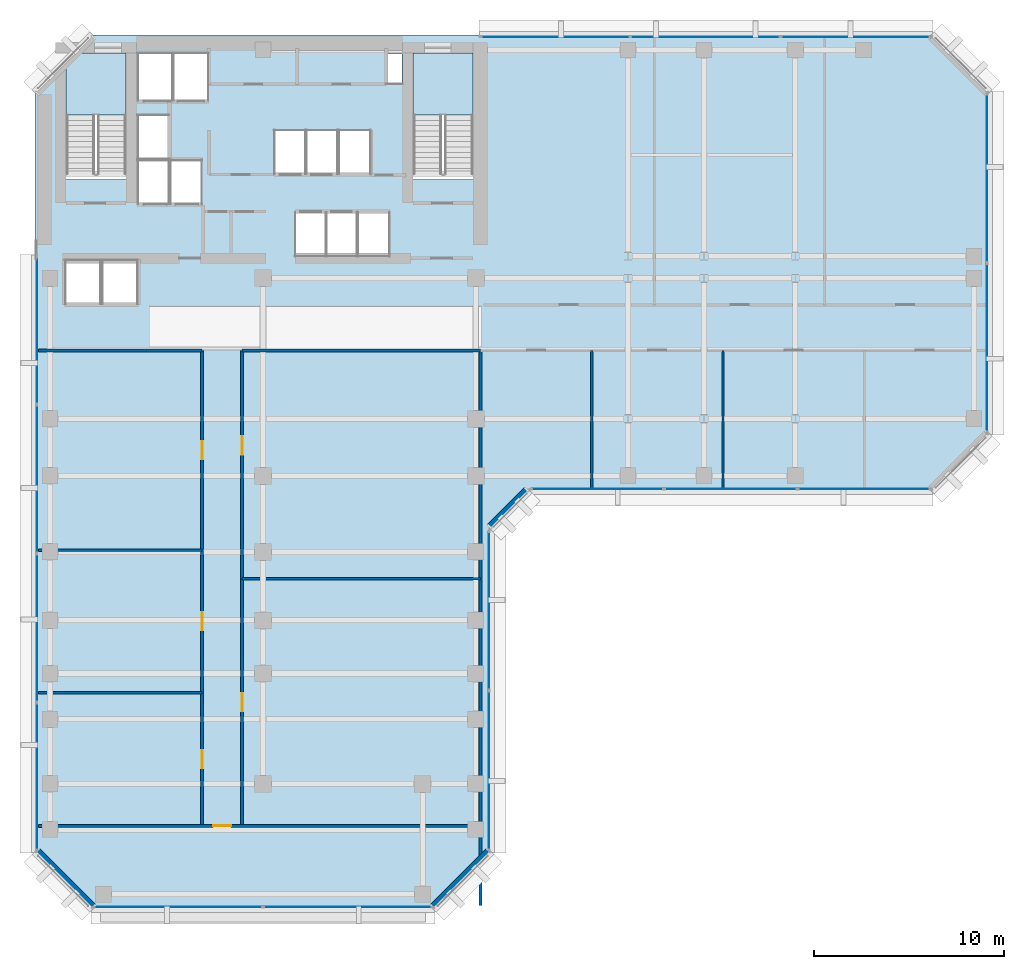
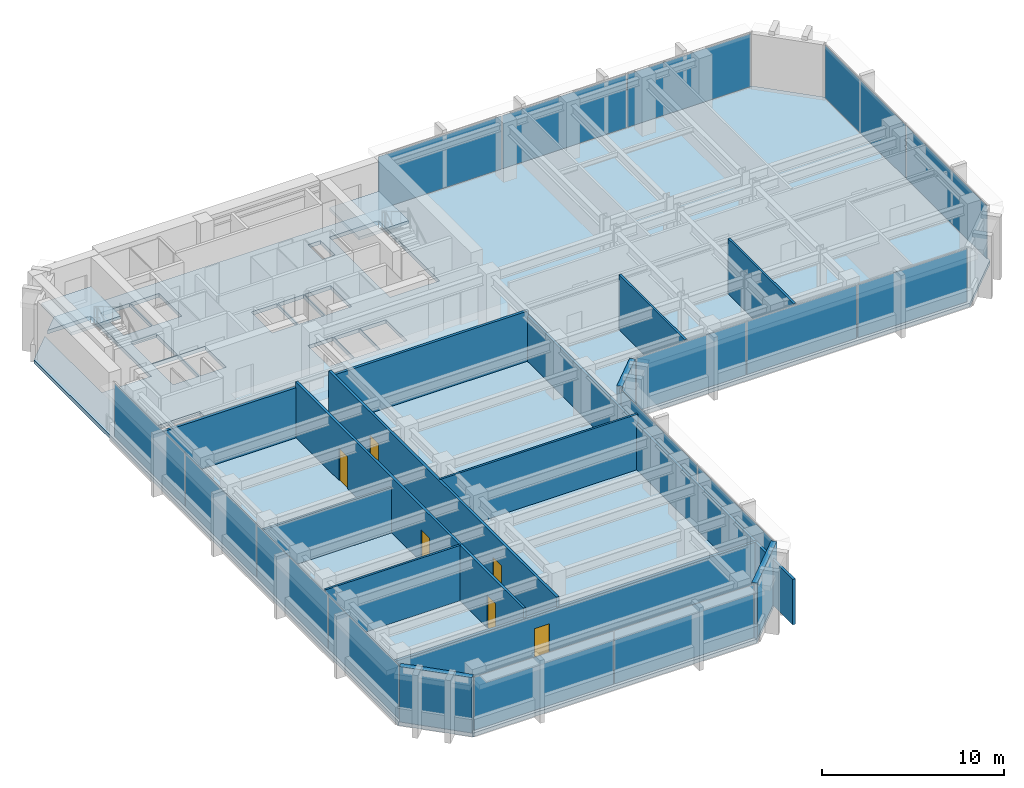
# One storey, part 6 of 11: 16 plates, 14 walls, 6 doors, 3 slabs, 6 openings, 8 elements without a shape of their own.
"""IFC4 building model written with IfcOpenShell, lengths in metres."""

from ifc_helpers import new_model, si_unit, direction, frame, frame_2d, origin, origin_2d, place, context, subcontext, project, spatial, polyline, rectangle, outline, extrude, material, layer, layer_set, type_object, element, fill, aggregate, save


model = new_model("IFC4")

# Units and contexts
model_context = context("Model", 3, precision=1e-05, world=origin(), true_north=direction((0.0, 1.0)))
body_context = subcontext(model_context, "Body", "Model", "MODEL_VIEW")
ifc_project = project(units=[si_unit("LENGTHUNIT", "METRE"), si_unit("AREAUNIT", "SQUARE_METRE"), si_unit("VOLUMEUNIT", "CUBIC_METRE"), si_unit("PLANEANGLEUNIT", "RADIAN"), si_unit("MASSUNIT", "GRAM", prefix="KILO")], contexts=[model_context])

# Site, building, storey
site_placement = place(None, origin())
site = spatial("IfcSite", under=ifc_project, at=site_placement, CompositionType="ELEMENT")
building_placement = place(site_placement, origin())
building = spatial("IfcBuilding", under=site, at=building_placement, Name="Kefirva Bronze Tower", CompositionType="ELEMENT")
storey_placement = place(building_placement, frame((0.0, 0.0, 154.77001953125)))
storey = spatial("IfcBuildingStorey", under=building, at=storey_placement, Name="L37", CompositionType="ELEMENT", Elevation=154.77001953125)

# Stair, slab
ifc_material_1 = material(Name="Concrete C40/50", Category="concrete")
stair_type = type_object("IfcStairType", Name="RC Dogleg Protected Stair 24R", PredefinedType="HALF_TURN_STAIR", material=ifc_material_1)
stair_1_placement = place(storey_placement, origin())
stair_1 = element("IfcStair", 1, at=stair_1_placement, inside=storey, type_object=stair_type, Name="L37 Protected Exit Stair 1", PredefinedType="HALF_TURN_STAIR")
ifc_layer_1 = layer(ifc_material_1, 0.199951171875, Name="Concrete C40/50")
ifc_layer_set_1 = layer_set([ifc_layer_1], Name="Concrete C40/50")
slab_type_1 = type_object("IfcSlabType", Name="RC Stair Landing Slab 200mm", PredefinedType="LANDING", material=ifc_layer_set_1)
slab_1_placement = place(storey_placement, frame((0.0, 0.0, 1.780029296875)))
slab_1 = element("IfcSlab", 2, at=slab_1_placement, type_object=slab_type_1, Name="ST-1 landing 1", PredefinedType="LANDING", context=body_context, shape_type="SweptSolid", body=[
    extrude(outline(polyline([(4.800048828125, 41.780029296875), (4.800048828125, 45.050048828125), (1.64990234375, 45.050048828125), (1.64990234375, 41.780029296875), (4.800048828125, 41.780029296875)])), origin(), (0.0, 0.0, 1.0), 0.199951171875),
])
aggregate(stair_1, [slab_1])

stair_2_placement = place(storey_placement, origin())
stair_2 = element("IfcStair", 3, at=stair_2_placement, inside=storey, type_object=stair_type, Name="L37 Protected Exit Stair 2", PredefinedType="HALF_TURN_STAIR")
slab_2_placement = place(storey_placement, frame((0.0, 0.0, 1.780029296875)))
slab_2 = element("IfcSlab", 4, at=slab_2_placement, type_object=slab_type_1, Name="ST-2 landing 1", PredefinedType="LANDING", context=body_context, shape_type="SweptSolid", body=[
    extrude(outline(polyline([(23.050048828125, 41.780029296875), (23.050048828125, 45.050048828125), (19.89990234375, 45.050048828125), (19.89990234375, 41.780029296875), (23.050048828125, 41.780029296875)])), origin(), (0.0, 0.0, 1.0), 0.199951171875),
])
aggregate(stair_2, [slab_2])

# Slab
ifc_layer_2 = layer(ifc_material_1, 0.25, Name="Concrete C40/50")
ifc_layer_set_2 = layer_set([ifc_layer_2], Name="Concrete C40/50")
slab_type_2 = type_object("IfcSlabType", Name="RC Tower Floor Slab 250mm", PredefinedType="FLOOR", material=ifc_layer_set_2)
slab_3_placement = place(storey_placement, frame((0.0, 0.0, -0.25)))
element("IfcSlab", 5, at=slab_3_placement, inside=storey, type_object=slab_type_2, Name="L37 Structural Floor Slab", PredefinedType="FLOOR", context=body_context, shape_type="SweptSolid", body=[
    extrude(outline(polyline([(0.0, 3.0), (0.0, 43.0), (1.64990234375, 44.64990234375), (1.64990234375, 38.39990234375), (4.800048828125, 38.39990234375), (4.800048828125, 45.050048828125), (2.050048828125, 45.050048828125), (3.0, 46.0), (47.199951171875, 46.0), (50.199951171875, 43.0), (50.199951171875, 25.0), (47.199951171875, 22.0), (26.0, 22.0), (24.0, 20.0), (24.0, 3.0), (21.0, 0.0), (3.0, 0.0), (0.0, 3.0)]), holes=[polyline([(23.050048828125, 38.39990234375), (23.050048828125, 45.050048828125), (19.89990234375, 45.050048828125), (19.89990234375, 38.39990234375), (23.050048828125, 38.39990234375)]), polyline([(19.320068359375, 43.419921875), (19.320068359375, 45.0), (18.52001953125, 45.0), (18.52001953125, 43.419921875), (19.320068359375, 43.419921875)]), polyline([(18.64990234375, 34.35009765625), (18.64990234375, 36.64990234375), (17.0, 36.64990234375), (17.0, 34.35009765625), (18.64990234375, 34.35009765625)]), polyline([(17.64990234375, 38.679931640625), (17.64990234375, 40.97998046875), (16.0, 40.97998046875), (16.0, 38.679931640625), (17.64990234375, 38.679931640625)]), polyline([(16.949951171875, 34.35009765625), (16.949951171875, 36.64990234375), (15.35009765625, 36.64990234375), (15.35009765625, 34.35009765625), (16.949951171875, 34.35009765625)]), polyline([(15.929931640625, 38.679931640625), (15.929931640625, 40.97998046875), (14.300048828125, 40.97998046875), (14.300048828125, 38.679931640625), (15.929931640625, 38.679931640625)]), polyline([(15.300048828125, 34.35009765625), (15.300048828125, 36.64990234375), (13.699951171875, 36.64990234375), (13.699951171875, 34.35009765625), (15.300048828125, 34.35009765625)]), polyline([(14.22998046875, 38.679931640625), (14.22998046875, 40.97998046875), (12.60009765625, 40.97998046875), (12.60009765625, 38.679931640625), (14.22998046875, 38.679931640625)]), polyline([(9.1201171875, 42.550048828125), (9.1201171875, 45.050048828125), (7.300048828125, 45.050048828125), (7.300048828125, 42.550048828125), (9.1201171875, 42.550048828125)]), polyline([(8.780029296875, 37.10009765625), (8.780029296875, 39.39990234375), (7.139892578125, 39.39990234375), (7.139892578125, 37.10009765625), (8.780029296875, 37.10009765625)]), polyline([(7.239990234375, 42.550048828125), (7.239990234375, 45.050048828125), (5.419921875, 45.050048828125), (5.419921875, 42.550048828125), (7.239990234375, 42.550048828125)]), polyline([(7.06005859375, 37.10009765625), (7.06005859375, 39.39990234375), (5.419921875, 39.39990234375), (5.419921875, 37.10009765625), (7.06005859375, 37.10009765625)]), polyline([(7.06005859375, 39.47998046875), (7.06005859375, 41.780029296875), (5.419921875, 41.780029296875), (5.419921875, 39.47998046875), (7.06005859375, 39.47998046875)]), polyline([(5.39990234375, 31.85009765625), (5.39990234375, 34.14990234375), (3.550048828125, 34.14990234375), (3.550048828125, 31.85009765625), (5.39990234375, 31.85009765625)]), polyline([(3.449951171875, 31.85009765625), (3.449951171875, 34.14990234375), (1.60009765625, 34.14990234375), (1.60009765625, 31.85009765625), (3.449951171875, 31.85009765625)])]), origin(), (0.0, 0.0, 1.0), 0.25),
])

# Curtain wall, plates
ifc_material_2 = material(Name="Bronze anodised aluminium", Category="aluminium")
ifc_layer_3 = layer(ifc_material_2, 0.199951171875, Name="Bronze anodised aluminium")
ifc_layer_set_3 = layer_set([ifc_layer_3], Name="Bronze anodised aluminium")
curtain_wall_type = type_object("IfcCurtainWallType", Name="Unitised Bronze Ribbon Curtain Wall Zone 2", PredefinedType="USERDEFINED", material=ifc_layer_set_3)
curtain_wall_1_placement = place(storey_placement, origin())
curtain_wall_1 = element("IfcCurtainWall", 6, at=curtain_wall_1_placement, inside=storey, type_object=curtain_wall_type, Name="L37 Curtain Wall 1", ObjectType="UNITISED CURTAIN WALL", PredefinedType="USERDEFINED")
ifc_material_3 = material(Name="Laminated low-E double glazing", Category="glass")
ifc_layer_4 = layer(ifc_material_3, 0.031982421875, Name="Laminated low-E double glazing")
ifc_layer_set_4 = layer_set([ifc_layer_4], Name="Laminated low-E double glazing")
plate_type = type_object("IfcPlateType", Name="Solar-Control Low-E Vision Panel 32mm", PredefinedType="CURTAIN_PANEL", material=ifc_layer_set_4)
plate_1_placement = place(storey_placement, frame((7.546142578125, 0.1201171875, 0.074951171875), z_axis=(0.0, 0.0, 1.0), x_axis=(1.0, 0.0, 0.0)))
plate_1 = element("IfcPlate", 7, at=plate_1_placement, type_object=plate_type, Name="CW-02 panel 1.1", PredefinedType="CURTAIN_PANEL", context=body_context, shape_type="SweptSolid", body=[
    extrude(rectangle(XDim=8.83251953125, YDim=0.031982421875, at=origin_2d()), origin(), (0.0, 0.0, 1.0), 3.56005859375),
])
plate_2_placement = place(storey_placement, frame((16.453857421875, 0.1201171875, 0.074951171875), z_axis=(0.0, 0.0, 1.0), x_axis=(1.0, 0.0, 0.0)))
plate_2 = element("IfcPlate", 8, at=plate_2_placement, type_object=plate_type, Name="CW-02 panel 2.1", PredefinedType="CURTAIN_PANEL", context=body_context, shape_type="SweptSolid", body=[
    extrude(rectangle(XDim=8.83251953125, YDim=0.031982421875, at=origin_2d()), origin(), (0.0, 0.0, 1.0), 3.56005859375),
])
aggregate(curtain_wall_1, [plate_1, plate_2])

curtain_wall_2_placement = place(storey_placement, origin())
curtain_wall_2 = element("IfcCurtainWall", 9, at=curtain_wall_2_placement, inside=storey, type_object=curtain_wall_type, Name="L37 Curtain Wall 2", ObjectType="UNITISED CURTAIN WALL", PredefinedType="USERDEFINED")
plate_3_placement = place(storey_placement, frame((23.8798828125, 7.296142578125, 0.074951171875), z_axis=(0.0, 0.0, 1.0), x_axis=(0.0, 1.0, 0.0)))
plate_3 = element("IfcPlate", 10, at=plate_3_placement, type_object=plate_type, Name="CW-02 panel 1.1", PredefinedType="CURTAIN_PANEL", context=body_context, shape_type="SweptSolid", body=[
    extrude(rectangle(XDim=8.33251953125, YDim=0.031982421875, at=origin_2d()), origin(), (0.0, 0.0, 1.0), 3.56005859375),
])
plate_4_placement = place(storey_placement, frame((23.8798828125, 15.703857421875, 0.074951171875), z_axis=(0.0, 0.0, 1.0), x_axis=(0.0, 1.0, 0.0)))
plate_4 = element("IfcPlate", 11, at=plate_4_placement, type_object=plate_type, Name="CW-02 panel 2.1", PredefinedType="CURTAIN_PANEL", context=body_context, shape_type="SweptSolid", body=[
    extrude(rectangle(XDim=8.33251953125, YDim=0.031982421875, at=origin_2d()), origin(), (0.0, 0.0, 1.0), 3.56005859375),
])
aggregate(curtain_wall_2, [plate_3, plate_4])

curtain_wall_3_placement = place(storey_placement, origin())
curtain_wall_3 = element("IfcCurtainWall", 12, at=curtain_wall_3_placement, inside=storey, type_object=curtain_wall_type, Name="L37 Curtain Wall 3", ObjectType="UNITISED CURTAIN WALL", PredefinedType="USERDEFINED")
plate_5_placement = place(storey_placement, frame((29.5888671875, 22.1201171875, 0.074951171875), z_axis=(0.0, 0.0, 1.0), x_axis=(1.0, 0.0, 0.0)))
plate_5 = element("IfcPlate", 13, at=plate_5_placement, type_object=plate_type, Name="CW-02 panel 1.1", PredefinedType="CURTAIN_PANEL", context=body_context, shape_type="SweptSolid", body=[
    extrude(rectangle(XDim=6.91748046875, YDim=0.031982421875, at=origin_2d()), origin(), (0.0, 0.0, 1.0), 3.56005859375),
])
plate_6_placement = place(storey_placement, frame((36.60009765625, 22.1201171875, 0.074951171875), z_axis=(0.0, 0.0, 1.0), x_axis=(1.0, 0.0, 0.0)))
plate_6 = element("IfcPlate", 14, at=plate_6_placement, type_object=plate_type, Name="CW-02 panel 2.1", PredefinedType="CURTAIN_PANEL", context=body_context, shape_type="SweptSolid", body=[
    extrude(rectangle(XDim=6.955078125, YDim=0.031982421875, at=origin_2d()), origin(), (0.0, 0.0, 1.0), 3.56005859375),
])
plate_7_placement = place(storey_placement, frame((43.611328125, 22.1201171875, 0.074951171875), z_axis=(0.0, 0.0, 1.0), x_axis=(1.0, 0.0, 0.0)))
plate_7 = element("IfcPlate", 15, at=plate_7_placement, type_object=plate_type, Name="CW-02 panel 3.1", PredefinedType="CURTAIN_PANEL", context=body_context, shape_type="SweptSolid", body=[
    extrude(rectangle(XDim=6.91748046875, YDim=0.031982421875, at=origin_2d()), origin(), (0.0, 0.0, 1.0), 3.56005859375),
])
aggregate(curtain_wall_3, [plate_5, plate_6, plate_7])

curtain_wall_4_placement = place(storey_placement, origin())
curtain_wall_4 = element("IfcCurtainWall", 16, at=curtain_wall_4_placement, inside=storey, type_object=curtain_wall_type, Name="L37 Curtain Wall 4", ObjectType="UNITISED CURTAIN WALL", PredefinedType="USERDEFINED")
plate_8_placement = place(storey_placement, frame((50.080078125, 29.546142578125, 0.074951171875), z_axis=(0.0, 0.0, 1.0), x_axis=(0.0, 1.0, 0.0)))
plate_8 = element("IfcPlate", 17, at=plate_8_placement, type_object=plate_type, Name="CW-02 panel 1.1", PredefinedType="CURTAIN_PANEL", context=body_context, shape_type="SweptSolid", body=[
    extrude(rectangle(XDim=8.83251953125, YDim=0.031982421875, at=origin_2d()), origin(), (0.0, 0.0, 1.0), 3.56005859375),
])
plate_9_placement = place(storey_placement, frame((50.080078125, 38.453857421875, 0.074951171875), z_axis=(0.0, 0.0, 1.0), x_axis=(0.0, 1.0, 0.0)))
plate_9 = element("IfcPlate", 18, at=plate_9_placement, type_object=plate_type, Name="CW-02 panel 2.1", PredefinedType="CURTAIN_PANEL", context=body_context, shape_type="SweptSolid", body=[
    extrude(rectangle(XDim=8.83251953125, YDim=0.031982421875, at=origin_2d()), origin(), (0.0, 0.0, 1.0), 3.56005859375),
])
aggregate(curtain_wall_4, [plate_8, plate_9])

curtain_wall_5_placement = place(storey_placement, origin())
curtain_wall_5 = element("IfcCurtainWall", 19, at=curtain_wall_5_placement, inside=storey, type_object=curtain_wall_type, Name="L37 Curtain Wall 5", ObjectType="UNITISED CURTAIN WALL", PredefinedType="USERDEFINED")
plate_10_placement = place(storey_placement, frame((43.169677734375, 45.8798828125, 0.074951171875), z_axis=(0.0, 0.0, 1.0), x_axis=(-1.0, 0.0, 0.0)))
plate_10 = element("IfcPlate", 20, at=plate_10_placement, type_object=plate_type, Name="CW-02 panel 1.1", PredefinedType="CURTAIN_PANEL", context=body_context, shape_type="SweptSolid", body=[
    extrude(rectangle(XDim=7.80078125, YDim=0.031982421875, at=origin_2d()), origin(), (0.0, 0.0, 1.0), 3.56005859375),
])
plate_11_placement = place(storey_placement, frame((35.27490234375, 45.8798828125, 0.074951171875), z_axis=(0.0, 0.0, 1.0), x_axis=(-1.0, 0.0, 0.0)))
plate_11 = element("IfcPlate", 21, at=plate_11_placement, type_object=plate_type, Name="CW-02 panel 2.1", PredefinedType="CURTAIN_PANEL", context=body_context, shape_type="SweptSolid", body=[
    extrude(rectangle(XDim=7.83837890625, YDim=0.031982421875, at=origin_2d()), origin(), (0.0, 0.0, 1.0), 3.56005859375),
])
plate_12_placement = place(storey_placement, frame((27.38037109375, 45.8798828125, 0.074951171875), z_axis=(0.0, 0.0, 1.0), x_axis=(-1.0, 0.0, 0.0)))
plate_12 = element("IfcPlate", 22, at=plate_12_placement, type_object=plate_type, Name="CW-02 panel 3.1", PredefinedType="CURTAIN_PANEL", context=body_context, shape_type="SweptSolid", body=[
    extrude(rectangle(XDim=7.80078125, YDim=0.031982421875, at=origin_2d()), origin(), (0.0, 0.0, 1.0), 3.56005859375),
])
aggregate(curtain_wall_5, [plate_10, plate_11, plate_12])

curtain_wall_6_placement = place(storey_placement, origin())
curtain_wall_6 = element("IfcCurtainWall", 23, at=curtain_wall_6_placement, inside=storey, type_object=curtain_wall_type, Name="L37 Curtain Wall 6", ObjectType="UNITISED CURTAIN WALL", PredefinedType="USERDEFINED")
plate_13_placement = place(storey_placement, frame((0.1201171875, 30.458740234375, 0.074951171875), z_axis=(0.0, 0.0, 1.0), x_axis=(0.0, -1.0, 0.0)))
plate_13 = element("IfcPlate", 24, at=plate_13_placement, type_object=plate_type, Name="CW-02 panel 1.1", PredefinedType="CURTAIN_PANEL", context=body_context, shape_type="SweptSolid", body=[
    extrude(rectangle(XDim=7.722412109375, YDim=0.031982421875, at=origin_2d()), origin(), (0.0, 0.0, 1.0), 3.56005859375),
])
plate_14_placement = place(storey_placement, frame((0.1201171875, 22.642578125, 0.074951171875), z_axis=(0.0, 0.0, 1.0), x_axis=(0.0, -1.0, 0.0)))
plate_14 = element("IfcPlate", 25, at=plate_14_placement, type_object=plate_type, Name="CW-02 panel 2.1", PredefinedType="CURTAIN_PANEL", context=body_context, shape_type="SweptSolid", body=[
    extrude(rectangle(XDim=7.760009765625, YDim=0.031982421875, at=origin_2d()), origin(), (0.0, 0.0, 1.0), 3.56005859375),
])
plate_15_placement = place(storey_placement, frame((0.1201171875, 14.8076171875, 0.074951171875), z_axis=(0.0, 0.0, 1.0), x_axis=(0.0, -1.0, 0.0)))
plate_15 = element("IfcPlate", 26, at=plate_15_placement, type_object=plate_type, Name="CW-02 panel 3.1", PredefinedType="CURTAIN_PANEL", context=body_context, shape_type="SweptSolid", body=[
    extrude(rectangle(XDim=7.760009765625, YDim=0.031982421875, at=origin_2d()), origin(), (0.0, 0.0, 1.0), 3.56005859375),
])
plate_16_placement = place(storey_placement, frame((0.1201171875, 6.9912109375, 0.074951171875), z_axis=(0.0, 0.0, 1.0), x_axis=(0.0, -1.0, 0.0)))
plate_16 = element("IfcPlate", 27, at=plate_16_placement, type_object=plate_type, Name="CW-02 panel 4.1", PredefinedType="CURTAIN_PANEL", context=body_context, shape_type="SweptSolid", body=[
    extrude(rectangle(XDim=7.722412109375, YDim=0.031982421875, at=origin_2d()), origin(), (0.0, 0.0, 1.0), 3.56005859375),
])
aggregate(curtain_wall_6, [plate_13, plate_14, plate_15, plate_16])

# Walls
ifc_material_4 = material(Name="Gypsum acoustic partition")
ifc_layer_5 = layer(ifc_material_4, 0.1298828125, Name="Gypsum acoustic partition")
ifc_layer_set_5 = layer_set([ifc_layer_5], Name="Gypsum acoustic partition")
wall_type_1 = type_object("IfcWallType", Name="Acoustic Office Partition 130mm", PredefinedType="PARTITIONING", material=ifc_layer_set_5)
wall_1_placement = place(storey_placement, frame((0.18994140625, 11.392822265625, 0.0), z_axis=(0.0, 0.0, 1.0), x_axis=(1.0, 0.0, 0.0)))
element("IfcWall", 28, at=wall_1_placement, inside=storey, type_object=wall_type_1, Name="L37 Partition W-L37-SWD1", PredefinedType="PARTITIONING", context=body_context, shape_type="SweptSolid", body=[
    extrude(rectangle(XDim=8.610107421875, YDim=0.1298828125, at=frame_2d((4.30517578125, 0.0))), origin(), (0.0, 0.0, 1.0), 3.7099609375),
])
wall_2_placement = place(storey_placement, frame((0.18994140625, 18.895751953125, 0.0), z_axis=(0.0, 0.0, 1.0), x_axis=(1.0, 0.0, 0.0)))
element("IfcWall", 29, at=wall_2_placement, inside=storey, type_object=wall_type_1, Name="L37 Partition W-L37-SWD2", PredefinedType="PARTITIONING", context=body_context, shape_type="SweptSolid", body=[
    extrude(rectangle(XDim=8.610107421875, YDim=0.1298828125, at=frame_2d((4.30517578125, 0.0))), origin(), (0.0, 0.0, 1.0), 3.044921875),
])
wall_3_placement = place(storey_placement, frame((10.89990234375, 17.395263671875, 0.0), z_axis=(0.0, 0.0, 1.0), x_axis=(1.0, 0.0, 0.0)))
element("IfcWall", 30, at=wall_3_placement, inside=storey, type_object=wall_type_1, Name="L37 Partition W-L37-SED1", PredefinedType="PARTITIONING", context=body_context, shape_type="SweptSolid", body=[
    extrude(rectangle(XDim=12.550048828125, YDim=0.1298828125, at=frame_2d((6.27490234375, 0.0))), origin(), (0.0, 0.0, 1.0), 3.7099609375),
])
for number, where, z_axis, x_axis, name in (
    (31, (29.293212890625, 22.18994140625, 0.0), (0.0, 0.0, 1.0), (0.0, 1.0, 0.0), "L37 Partition W-L37-ESD1"),
    (32, (36.19873046875, 22.18994140625, 0.0), (0.0, 0.0, 1.0), (0.0, 1.0, 0.0), "L37 Partition W-L37-ESD2"),
):
    element("IfcWall", number, at=place(storey_placement, frame(where, z_axis=z_axis, x_axis=x_axis)), inside=storey, type_object=wall_type_1, Name=name, PredefinedType="PARTITIONING", context=body_context, shape_type="SweptSolid", body=[
        extrude(rectangle(XDim=7.2099609375, YDim=0.1298828125, at=frame_2d((3.60498046875, 0.0))), origin(), (0.0, 0.0, 1.0), 3.7099609375),
    ])
ifc_material_5 = material(Name="Precast concrete C40/50", Category="concrete")
ifc_layer_6 = layer(ifc_material_5, 0.320068359375, Name="Precast concrete C40/50")
ifc_layer_set_6 = layer_set([ifc_layer_6], Name="Precast concrete C40/50")
wall_type_2 = type_object("IfcWallType", Name="Precast Insulated Exterior Wall 320mm", PredefinedType="SOLIDWALL", material=ifc_layer_set_6)
wall_4_placement = place(storey_placement, frame((20.92578125, 0.152099609375, 0.0), z_axis=(0.0, 0.0, 1.0), x_axis=(0.707106781187, 0.707106781187, 0.0)))
element("IfcWall", 33, at=wall_4_placement, inside=storey, type_object=wall_type_2, Name="L37 Exterior Facade Wall 1", PredefinedType="SOLIDWALL", context=body_context, shape_type="SweptSolid", body=[
    extrude(rectangle(XDim=4.132568359375, YDim=0.320068359375, at=frame_2d((2.06640625, 0.0))), origin(), (0.0, 0.0, 1.0), 3.7099609375),
])
wall_5_placement = place(storey_placement, frame((23.92578125, 20.152099609375, 0.0), z_axis=(0.0, 0.0, 1.0), x_axis=(0.707106781187, 0.707106781187, 0.0)))
element("IfcWall", 34, at=wall_5_placement, inside=storey, type_object=wall_type_2, Name="L37 Exterior Facade Wall 2", PredefinedType="SOLIDWALL", context=body_context, shape_type="SweptSolid", body=[
    extrude(rectangle(XDim=2.71826171875, YDim=0.320068359375, at=frame_2d((1.359130859375, 0.0))), origin(), (0.0, 0.0, 1.0), 3.7099609375),
])
wall_6_placement = place(storey_placement, frame((0.152099609375, 3.07421875, 0.0), z_axis=(0.0, 0.0, 1.0), x_axis=(0.707106781187, -0.707106781187, 0.0)))
element("IfcWall", 35, at=wall_6_placement, inside=storey, type_object=wall_type_2, Name="L37 Exterior Facade Wall 6", PredefinedType="SOLIDWALL", context=body_context, shape_type="SweptSolid", body=[
    extrude(rectangle(XDim=4.132568359375, YDim=0.320068359375, at=frame_2d((2.06640625, 0.0))), origin(), (0.0, 0.0, 1.0), 3.7099609375),
])

# Wall, openings, doors
ifc_layer_7 = layer(ifc_material_4, 0.159912109375, Name="Gypsum acoustic partition")
ifc_layer_set_7 = layer_set([ifc_layer_7], Name="Gypsum acoustic partition")
wall_type_3 = type_object("IfcWallType", Name="Protected Corridor Partition 160mm", PredefinedType="PARTITIONING", material=ifc_layer_set_7)
wall_7_placement = place(storey_placement, frame((8.800048828125, 4.389892578125, 0.0), z_axis=(0.0, 0.0, 1.0), x_axis=(0.0, 1.0, 0.0)))
wall_7 = element("IfcWall", 36, at=wall_7_placement, inside=storey, type_object=wall_type_3, Name="L37 Partition W-L37-SWCORW", PredefinedType="PARTITIONING", context=body_context, shape_type="SweptSolid", body=[
    extrude(rectangle(XDim=25.010009765625, YDim=0.159912109375, at=frame_2d((12.5048828125, 0.0))), origin(), (0.0, 0.0, 1.0), 3.7099609375),
])
opening_1_placement = place(wall_7_placement, frame((3.976318359375, 0.0, 0.0), z_axis=(0.0, 0.0, 1.0), x_axis=(-1.0, 0.0, 0.0)))
opening_1 = element("IfcOpeningElement", 37, at=opening_1_placement, cuts=wall_7, Name="Opening L37-D-SW1", PredefinedType="OPENING", context=body_context, shape_type="SweptSolid", body=[
    extrude(rectangle(XDim=0.949951171875, YDim=2.14990234375, at=frame_2d((0.47509765625, 1.074951171875))), frame((0.0, 0.08984375, 0.0), z_axis=(0.0, -1.0, 0.0), x_axis=(1.0, 0.0, 0.0)), (0.0, 0.0, 1.0), 0.179931640625),
])
opening_2_placement = place(wall_7_placement, frame((11.229248046875, 0.0, 0.0), z_axis=(0.0, 0.0, 1.0), x_axis=(-1.0, 0.0, 0.0)))
opening_2 = element("IfcOpeningElement", 38, at=opening_2_placement, cuts=wall_7, Name="Opening L37-D-SW2", PredefinedType="OPENING", context=body_context, shape_type="SweptSolid", body=[
    extrude(rectangle(XDim=0.949951171875, YDim=2.14990234375, at=frame_2d((0.47509765625, 1.074951171875))), frame((0.0, 0.08984375, 0.0), z_axis=(0.0, -1.0, 0.0), x_axis=(1.0, 0.0, 0.0)), (0.0, 0.0, 1.0), 0.179931640625),
])
opening_3_placement = place(wall_7_placement, frame((20.23291015625, 0.0, 0.0), z_axis=(0.0, 0.0, 1.0), x_axis=(-1.0, 0.0, 0.0)))
opening_3 = element("IfcOpeningElement", 39, at=opening_3_placement, cuts=wall_7, Name="Opening L37-D-SW3", PredefinedType="OPENING", context=body_context, shape_type="SweptSolid", body=[
    extrude(rectangle(XDim=0.949951171875, YDim=2.14990234375, at=frame_2d((0.47509765625, 1.074951171875))), frame((0.0, 0.08984375, 0.0), z_axis=(0.0, -1.0, 0.0), x_axis=(1.0, 0.0, 0.0)), (0.0, 0.0, 1.0), 0.179931640625),
])
ifc_material_6 = material(Name="Acoustic hardwood oak", Category="wood")
door_type = type_object("IfcDoorType", Name="Office & Meeting Room Door 950x2150", OperationType="NOTDEFINED", PredefinedType="DOOR", material=ifc_material_6)
door_1_placement = place(opening_1_placement, origin())
door_1 = element("IfcDoor", 40, at=door_1_placement, inside=storey, type_object=door_type, Name="Door L37-D-SW1", OperationType="SINGLE_SWING_RIGHT", OverallHeight=2.14990234375, OverallWidth=0.949951171875, PredefinedType="DOOR", context=body_context, shape_type="SweptSolid", body=[
    extrude(rectangle(XDim=0.949951171875, YDim=2.14990234375, at=frame_2d((0.47509765625, 1.074951171875))), frame((0.0, 0.02490234375, 0.0), z_axis=(0.0, -1.0, 0.0), x_axis=(1.0, 0.0, 0.0)), (0.0, 0.0, 1.0), 0.050048828125),
])
fill(opening_1, door_1)
door_2_placement = place(opening_2_placement, origin())
door_2 = element("IfcDoor", 41, at=door_2_placement, inside=storey, type_object=door_type, Name="Door L37-D-SW2", OperationType="SINGLE_SWING_LEFT", OverallHeight=2.14990234375, OverallWidth=0.949951171875, PredefinedType="DOOR", context=body_context, shape_type="SweptSolid", body=[
    extrude(rectangle(XDim=0.949951171875, YDim=2.14990234375, at=frame_2d((0.47509765625, 1.074951171875))), frame((0.0, 0.02490234375, 0.0), z_axis=(0.0, -1.0, 0.0), x_axis=(1.0, 0.0, 0.0)), (0.0, 0.0, 1.0), 0.050048828125),
])
fill(opening_2, door_2)
door_3_placement = place(opening_3_placement, origin())
door_3 = element("IfcDoor", 42, at=door_3_placement, inside=storey, type_object=door_type, Name="Door L37-D-SW3", OperationType="SINGLE_SWING_RIGHT", OverallHeight=2.14990234375, OverallWidth=0.949951171875, PredefinedType="DOOR", context=body_context, shape_type="SweptSolid", body=[
    extrude(rectangle(XDim=0.949951171875, YDim=2.14990234375, at=frame_2d((0.47509765625, 1.074951171875))), frame((0.0, 0.02490234375, 0.0), z_axis=(0.0, -1.0, 0.0), x_axis=(1.0, 0.0, 0.0)), (0.0, 0.0, 1.0), 0.050048828125),
])
fill(opening_3, door_3)

wall_8_placement = place(storey_placement, frame((10.89990234375, 4.389892578125, 0.0), z_axis=(0.0, 0.0, 1.0), x_axis=(0.0, 1.0, 0.0)))
wall_8 = element("IfcWall", 43, at=wall_8_placement, inside=storey, type_object=wall_type_3, Name="L37 Partition W-L37-SECORE", PredefinedType="PARTITIONING", context=body_context, shape_type="SweptSolid", body=[
    extrude(rectangle(XDim=25.010009765625, YDim=0.159912109375, at=frame_2d((12.5048828125, 0.0))), origin(), (0.0, 0.0, 1.0), 3.7099609375),
])
opening_4_placement = place(wall_8_placement, frame((6.027587890625, 0.0, 0.0)))
opening_4 = element("IfcOpeningElement", 44, at=opening_4_placement, cuts=wall_8, Name="Opening L37-D-SE1", PredefinedType="OPENING", context=body_context, shape_type="SweptSolid", body=[
    extrude(rectangle(XDim=0.949951171875, YDim=2.14990234375, at=frame_2d((0.47509765625, 1.074951171875))), frame((0.0, 0.08984375, 0.0), z_axis=(0.0, -1.0, 0.0), x_axis=(1.0, 0.0, 0.0)), (0.0, 0.0, 1.0), 0.179931640625),
])
opening_5_placement = place(wall_8_placement, frame((19.53271484375, 0.0, 0.0)))
opening_5 = element("IfcOpeningElement", 45, at=opening_5_placement, cuts=wall_8, Name="Opening L37-D-SE2", PredefinedType="OPENING", context=body_context, shape_type="SweptSolid", body=[
    extrude(rectangle(XDim=0.949951171875, YDim=2.14990234375, at=frame_2d((0.47509765625, 1.074951171875))), frame((0.0, 0.08984375, 0.0), z_axis=(0.0, -1.0, 0.0), x_axis=(1.0, 0.0, 0.0)), (0.0, 0.0, 1.0), 0.179931640625),
])
door_4_placement = place(opening_4_placement, origin())
door_4 = element("IfcDoor", 46, at=door_4_placement, inside=storey, type_object=door_type, Name="Door L37-D-SE1", OperationType="SINGLE_SWING_LEFT", OverallHeight=2.14990234375, OverallWidth=0.949951171875, PredefinedType="DOOR", context=body_context, shape_type="SweptSolid", body=[
    extrude(rectangle(XDim=0.949951171875, YDim=2.14990234375, at=frame_2d((0.47509765625, 1.074951171875))), frame((0.0, 0.02490234375, 0.0), z_axis=(0.0, -1.0, 0.0), x_axis=(1.0, 0.0, 0.0)), (0.0, 0.0, 1.0), 0.050048828125),
])
fill(opening_4, door_4)
door_5_placement = place(opening_5_placement, origin())
door_5 = element("IfcDoor", 47, at=door_5_placement, inside=storey, type_object=door_type, Name="Door L37-D-SE2", OperationType="SINGLE_SWING_RIGHT", OverallHeight=2.14990234375, OverallWidth=0.949951171875, PredefinedType="DOOR", context=body_context, shape_type="SweptSolid", body=[
    extrude(rectangle(XDim=0.949951171875, YDim=2.14990234375, at=frame_2d((0.47509765625, 1.074951171875))), frame((0.0, 0.02490234375, 0.0), z_axis=(0.0, -1.0, 0.0), x_axis=(1.0, 0.0, 0.0)), (0.0, 0.0, 1.0), 0.050048828125),
])
fill(opening_5, door_5)

# Wall, opening, door
wall_9_placement = place(storey_placement, frame((0.18994140625, 4.389892578125, 0.0), z_axis=(0.0, 0.0, 1.0), x_axis=(1.0, 0.0, 0.0)))
wall_9 = element("IfcWall", 48, at=wall_9_placement, inside=storey, type_object=wall_type_3, Name="L37 Partition W-L37-SBEND", PredefinedType="PARTITIONING", context=body_context, shape_type="SweptSolid", body=[
    extrude(rectangle(XDim=23.260009765625, YDim=0.159912109375, at=frame_2d((11.6298828125, 0.0))), origin(), (0.0, 0.0, 1.0), 3.044921875),
])
opening_6_placement = place(wall_9_placement, frame((9.18994140625, 0.0, 0.0)))
opening_6 = element("IfcOpeningElement", 49, at=opening_6_placement, cuts=wall_9, Name="Opening L37-D-SEND1", PredefinedType="OPENING", context=body_context, shape_type="SweptSolid", body=[
    extrude(rectangle(XDim=0.949951171875, YDim=2.14990234375, at=frame_2d((0.47509765625, 1.074951171875))), frame((0.0, 0.08984375, 0.0), z_axis=(0.0, -1.0, 0.0), x_axis=(1.0, 0.0, 0.0)), (0.0, 0.0, 1.0), 0.179931640625),
])
door_6_placement = place(opening_6_placement, origin())
door_6 = element("IfcDoor", 50, at=door_6_placement, inside=storey, type_object=door_type, Name="Door L37-D-SEND1", OperationType="SINGLE_SWING_LEFT", OverallHeight=2.14990234375, OverallWidth=0.949951171875, PredefinedType="DOOR", context=body_context, shape_type="SweptSolid", body=[
    extrude(rectangle(XDim=0.949951171875, YDim=2.14990234375, at=frame_2d((0.47509765625, 1.074951171875))), frame((0.0, 0.02490234375, 0.0), z_axis=(0.0, -1.0, 0.0), x_axis=(1.0, 0.0, 0.0)), (0.0, 0.0, 1.0), 0.050048828125),
])
fill(opening_6, door_6)

# Walls
wall_10_placement = place(storey_placement, frame((0.18994140625, 29.39990234375, 0.0), z_axis=(0.0, 0.0, 1.0), x_axis=(1.0, 0.0, 0.0)))
element("IfcWall", 51, at=wall_10_placement, inside=storey, type_object=wall_type_3, Name="L37 Partition W-L37-NWT", PredefinedType="PARTITIONING", context=body_context, shape_type="SweptSolid", body=[
    extrude(rectangle(XDim=8.610107421875, YDim=0.159912109375, at=frame_2d((4.30517578125, 0.0))), origin(), (0.0, 0.0, 1.0), 3.364990234375),
])
wall_11_placement = place(storey_placement, frame((10.89990234375, 29.39990234375, 0.0), z_axis=(0.0, 0.0, 1.0), x_axis=(1.0, 0.0, 0.0)))
element("IfcWall", 52, at=wall_11_placement, inside=storey, type_object=wall_type_3, Name="L37 Partition W-L37-NET", PredefinedType="PARTITIONING", context=body_context, shape_type="SweptSolid", body=[
    extrude(rectangle(XDim=12.550048828125, YDim=0.159912109375, at=frame_2d((6.27490234375, 0.0))), origin(), (0.0, 0.0, 1.0), 3.364990234375),
])
wall_12_placement = place(storey_placement, frame((23.449951171875, 0.18994140625, 0.0), z_axis=(0.0, 0.0, 1.0), x_axis=(0.0, 1.0, 0.0)))
element("IfcWall", 53, at=wall_12_placement, inside=storey, type_object=wall_type_3, Name="L37 Partition W-L37-SWEAST", PredefinedType="PARTITIONING", context=body_context, shape_type="SweptSolid", body=[
    extrude(rectangle(XDim=29.2099609375, YDim=0.159912109375, at=frame_2d((14.60498046875, 0.0))), origin(), (0.0, 0.0, 1.0), 3.044921875),
])

save(model, "model.ifc")
